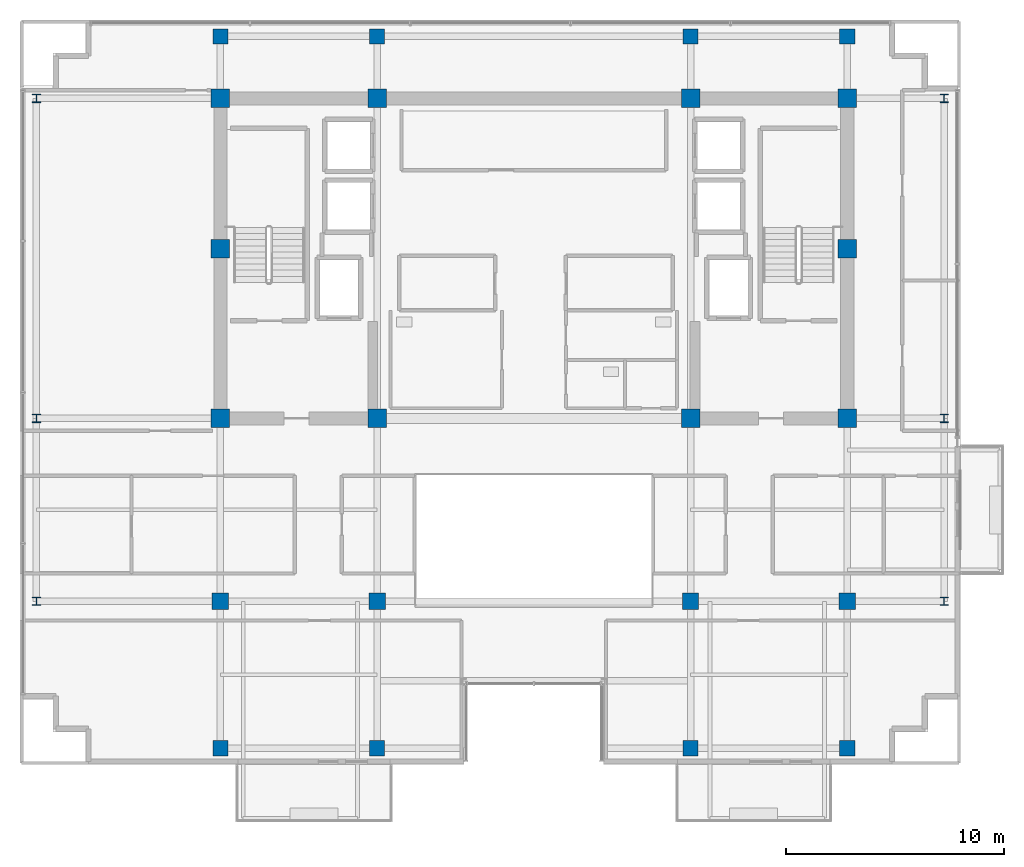
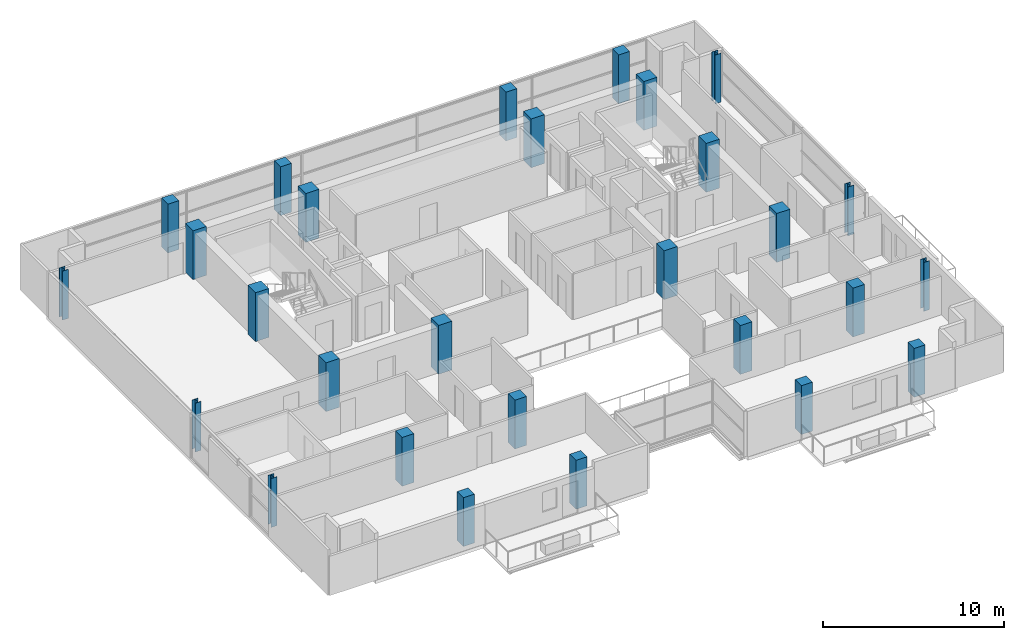
# One storey, part 1 of 23: 28 columns.
"""IFC4 building model written with IfcOpenShell, lengths in metres."""

from ifc_helpers import new_model, si_unit, direction, frame, origin, origin_2d, place, context, subcontext, project, spatial, rectangle, i_section, extrude, material, material_profile, profile_set, type_object, element, save


model = new_model("IFC4")

# Units and contexts
model_context = context("Model", 3, precision=1e-05, world=origin(), true_north=direction((0.0, 1.0)))
body_context = subcontext(model_context, "Body", "Model", "MODEL_VIEW")
ifc_project = project(units=[si_unit("LENGTHUNIT", "METRE"), si_unit("AREAUNIT", "SQUARE_METRE"), si_unit("VOLUMEUNIT", "CUBIC_METRE"), si_unit("PLANEANGLEUNIT", "RADIAN"), si_unit("MASSUNIT", "GRAM", prefix="KILO")], contexts=[model_context])

# Site, building, storey
site_placement = place(None, origin())
site = spatial("IfcSite", under=ifc_project, at=site_placement, CompositionType="ELEMENT")
building_placement = place(site_placement, origin())
building = spatial("IfcBuilding", under=site, at=building_placement, Name="Zarnakvel Exchange Tower", CompositionType="ELEMENT")
storey_placement = place(building_placement, frame((0.0, 0.0, 218.800048828125)))
storey = spatial("IfcBuildingStorey", under=building, at=storey_placement, Name="L61", CompositionType="ELEMENT", Elevation=218.800048828125)

# Columns
ifc_material_1 = material(Name="Concrete C50/60", Category="concrete")
ifc_material_profile_1 = material_profile(ifc_material_1, rectangle(XDim=0.85009765625, YDim=0.85009765625, at=origin_2d()))
ifc_profile_set_1 = profile_set([ifc_material_profile_1], Name="Concrete C50/60")
column_type_1 = type_object("IfcColumnType", Name="CC-03", PredefinedType="COLUMN", material=ifc_profile_set_1)
for number, where, z_axis, x_axis, name in (
    (1, (-14.39990234375, -1.199951171875, 0.0), (0.0, 0.0, 1.0), (1.0, 0.0, 0.0), "L61 Column C-4D (CC-03)"),
    (2, (-7.199951171875, -1.199951171875, 0.0), (0.0, 0.0, 1.0), (1.0, 0.0, 0.0), "L61 Column C-5D (CC-03)"),
    (3, (7.199951171875, -1.199951171875, 0.0), (0.0, 0.0, 1.0), (1.0, 0.0, 0.0), "L61 Column C-8D (CC-03)"),
    (4, (14.39990234375, -1.199951171875, 0.0), (0.0, 0.0, 1.0), (1.0, 0.0, 0.0), "L61 Column C-9D (CC-03)"),
    (5, (-14.39990234375, 6.60009765625, 0.0), (0.0, 0.0, 1.0), (1.0, 0.0, 0.0), "L61 Column C-4E (CC-03)"),
    (6, (14.39990234375, 6.60009765625, 0.0), (0.0, 0.0, 1.0), (1.0, 0.0, 0.0), "L61 Column C-9E (CC-03)"),
    (7, (-14.39990234375, 13.5, 0.0), (0.0, 0.0, 1.0), (1.0, 0.0, 0.0), "L61 Column C-4F (CC-03)"),
    (8, (-7.199951171875, 13.5, 0.0), (0.0, 0.0, 1.0), (1.0, 0.0, 0.0), "L61 Column C-5F (CC-03)"),
    (9, (7.199951171875, 13.5, 0.0), (0.0, 0.0, 1.0), (1.0, 0.0, 0.0), "L61 Column C-8F (CC-03)"),
    (10, (14.39990234375, 13.5, 0.0), (0.0, 0.0, 1.0), (1.0, 0.0, 0.0), "L61 Column C-9F (CC-03)"),
):
    element("IfcColumn", number, at=place(storey_placement, frame(where, z_axis=z_axis, x_axis=x_axis)), inside=storey, type_object=column_type_1, Name=name, PredefinedType="COLUMN", context=body_context, shape_type="SweptSolid", body=[
        extrude(rectangle(XDim=0.85009765625, YDim=0.85009765625, at=origin_2d()), origin(), (0.0, 0.0, 1.0), 3.300048828125),
    ])
ifc_material_2 = material(Name="Steel S355", Category="steel")
ifc_material_profile_2 = material_profile(ifc_material_2, i_section(OverallWidth=0.374755859375, OverallDepth=0.37451171875, WebThickness=0.0166015625, FlangeThickness=0.027099609375, FilletRadius=0.01513671875, at=origin_2d()))
ifc_profile_set_2 = profile_set([ifc_material_profile_2], Name="Steel S355")
column_type_2 = type_object("IfcColumnType", Name="SC-05", PredefinedType="COLUMN", material=ifc_profile_set_2)
for number, where, z_axis, x_axis, name in (
    (11, (-22.85009765625, -9.60009765625, 0.0), (0.0, 0.0, 1.0), (1.0, 0.0, 0.0), "L61 Column TW-C (SC-05)"),
    (12, (18.85009765625, -9.60009765625, 0.0), (0.0, 0.0, 1.0), (1.0, 0.0, 0.0), "L61 Column TE-C (SC-05)"),
    (13, (-22.85009765625, -1.199951171875, 0.0), (0.0, 0.0, 1.0), (1.0, 0.0, 0.0), "L61 Column TW-D (SC-05)"),
    (14, (18.85009765625, -1.199951171875, 0.0), (0.0, 0.0, 1.0), (1.0, 0.0, 0.0), "L61 Column TE-D (SC-05)"),
    (15, (-22.85009765625, 13.5, 0.0), (0.0, 0.0, 1.0), (1.0, 0.0, 0.0), "L61 Column TW-F (SC-05)"),
    (16, (18.85009765625, 13.5, 0.0), (0.0, 0.0, 1.0), (1.0, 0.0, 0.0), "L61 Column TE-F (SC-05)"),
):
    element("IfcColumn", number, at=place(storey_placement, frame(where, z_axis=z_axis, x_axis=x_axis)), inside=storey, type_object=column_type_2, Name=name, PredefinedType="COLUMN", context=body_context, shape_type="SweptSolid", body=[
        extrude(i_section(OverallWidth=0.374755859375, OverallDepth=0.37451171875, WebThickness=0.0166015625, FlangeThickness=0.027099609375, FilletRadius=0.01513671875, at=origin_2d()), origin(), (0.0, 0.0, 1.0), 3.300048828125),
    ])
ifc_material_profile_3 = material_profile(ifc_material_1, rectangle(XDim=0.75, YDim=0.75, at=origin_2d()))
ifc_profile_set_3 = profile_set([ifc_material_profile_3], Name="Concrete C50/60")
column_type_3 = type_object("IfcColumnType", Name="TC-04", PredefinedType="COLUMN", material=ifc_profile_set_3)
for number, where, z_axis, x_axis, name in (
    (17, (-14.39990234375, -9.60009765625, 0.0), (0.0, 0.0, 1.0), (1.0, 0.0, 0.0), "L61 Column T-4C (TC-04)"),
    (18, (-7.199951171875, -9.60009765625, 0.0), (0.0, 0.0, 1.0), (1.0, 0.0, 0.0), "L61 Column T-5C (TC-04)"),
    (19, (7.199951171875, -9.60009765625, 0.0), (0.0, 0.0, 1.0), (1.0, 0.0, 0.0), "L61 Column T-8C (TC-04)"),
    (20, (14.39990234375, -9.60009765625, 0.0), (0.0, 0.0, 1.0), (1.0, 0.0, 0.0), "L61 Column T-9C (TC-04)"),
):
    element("IfcColumn", number, at=place(storey_placement, frame(where, z_axis=z_axis, x_axis=x_axis)), inside=storey, type_object=column_type_3, Name=name, PredefinedType="COLUMN", context=body_context, shape_type="SweptSolid", body=[
        extrude(rectangle(XDim=0.75, YDim=0.75, at=origin_2d()), origin(), (0.0, 0.0, 1.0), 3.300048828125),
    ])
ifc_material_profile_4 = material_profile(ifc_material_1, rectangle(XDim=0.699951171875, YDim=0.699951171875, at=origin_2d()))
ifc_profile_set_4 = profile_set([ifc_material_profile_4], Name="Concrete C50/60")
column_type_4 = type_object("IfcColumnType", Name="TC-05", PredefinedType="COLUMN", material=ifc_profile_set_4)
for number, where, z_axis, x_axis, name in (
    (21, (-14.39990234375, -16.35009765625, 0.0), (0.0, 0.0, 1.0), (1.0, 0.0, 0.0), "L61 Column TS-4 (TC-05)"),
    (22, (-14.39990234375, 16.35009765625, 0.0), (0.0, 0.0, 1.0), (1.0, 0.0, 0.0), "L61 Column TN-4 (TC-05)"),
    (23, (-7.199951171875, -16.35009765625, 0.0), (0.0, 0.0, 1.0), (1.0, 0.0, 0.0), "L61 Column TS-5 (TC-05)"),
    (24, (-7.199951171875, 16.35009765625, 0.0), (0.0, 0.0, 1.0), (1.0, 0.0, 0.0), "L61 Column TN-5 (TC-05)"),
    (25, (7.199951171875, -16.35009765625, 0.0), (0.0, 0.0, 1.0), (1.0, 0.0, 0.0), "L61 Column TS-8 (TC-05)"),
    (26, (7.199951171875, 16.35009765625, 0.0), (0.0, 0.0, 1.0), (1.0, 0.0, 0.0), "L61 Column TN-8 (TC-05)"),
    (27, (14.39990234375, -16.35009765625, 0.0), (0.0, 0.0, 1.0), (1.0, 0.0, 0.0), "L61 Column TS-9 (TC-05)"),
    (28, (14.39990234375, 16.35009765625, 0.0), (0.0, 0.0, 1.0), (1.0, 0.0, 0.0), "L61 Column TN-9 (TC-05)"),
):
    element("IfcColumn", number, at=place(storey_placement, frame(where, z_axis=z_axis, x_axis=x_axis)), inside=storey, type_object=column_type_4, Name=name, PredefinedType="COLUMN", context=body_context, shape_type="SweptSolid", body=[
        extrude(rectangle(XDim=0.699951171875, YDim=0.699951171875, at=origin_2d()), origin(), (0.0, 0.0, 1.0), 3.300048828125),
    ])

save(model, "model.ifc")
